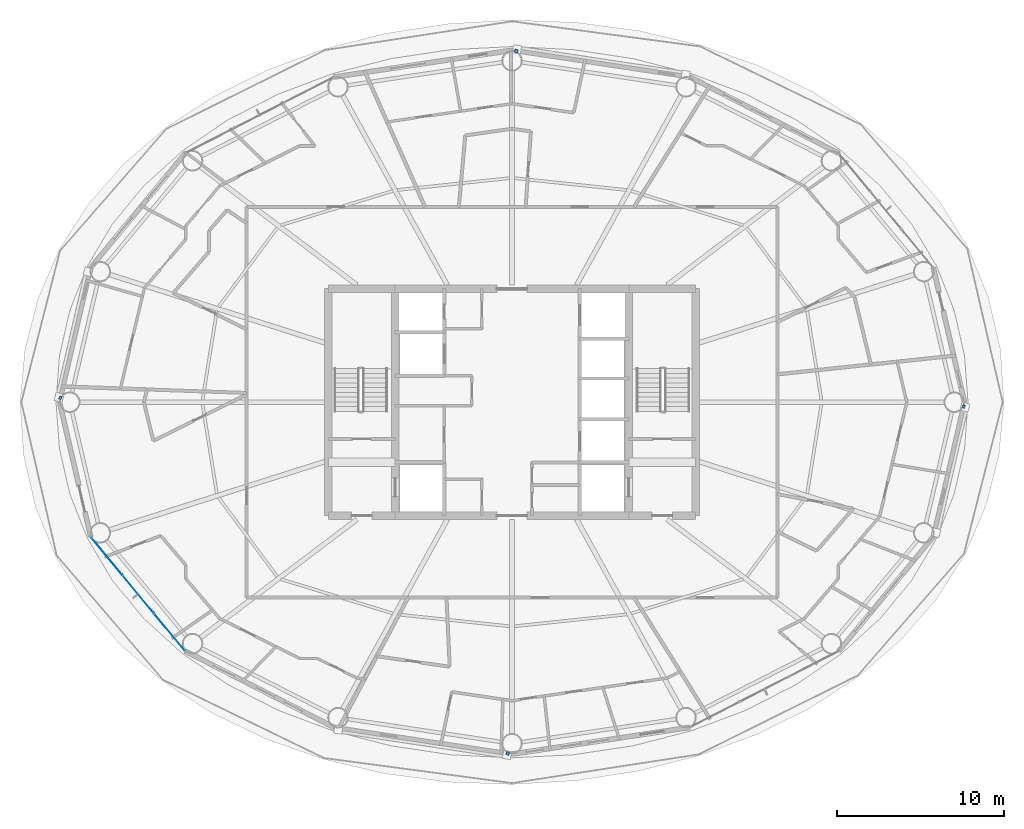
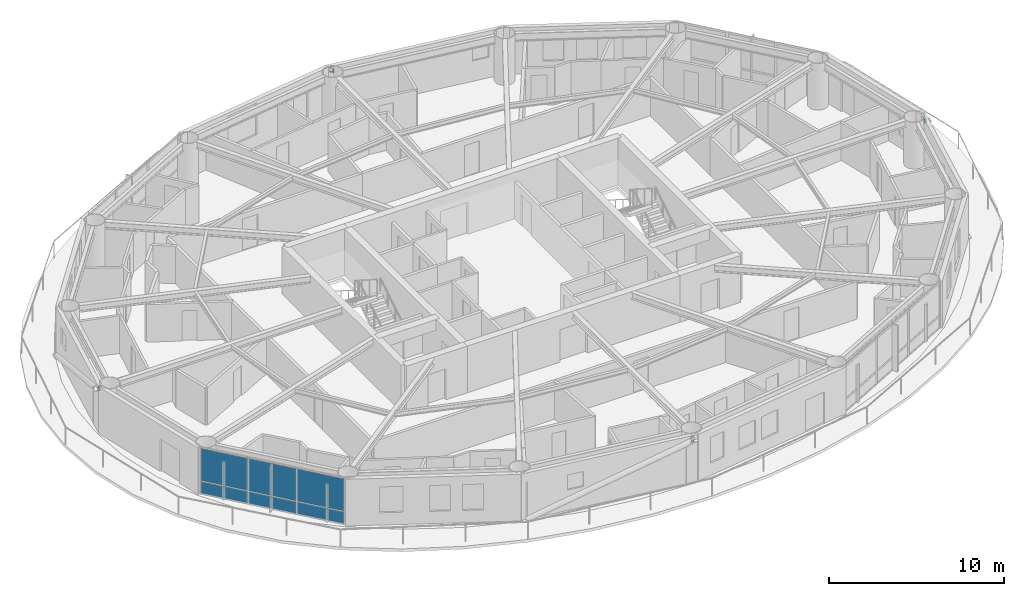
# One storey, part 16 of 28: 6 plates, 4 members, 1 element without a shape of its own.
"""IFC4 building model written with IfcOpenShell, lengths in metres."""

import ifcopenshell
import ifcopenshell.guid

model = None  # the IFC model being written
_history = None  # IfcOwnerHistory: only IFC2X3 demands one
_inside = {}  # id of a spatial element -> (the spatial element, [elements in it])
_under = {}  # id of a project, library or spatial element -> (it, [spatial elements below it])
_declared = {}  # id of a project -> (the project, [libraries it declares])
_typed = {}  # id of a type object -> (the type object, [elements of that type])
_made_of = {}  # id of a material, layer set ... -> (it, [elements and type objects made of it])


def new_model(schema):
    """Start an empty IFC model of exactly this schema.

    Asked for "IFC4X3", IfcOpenShell would pick the latest addendum, in which some entities
    have other attributes; the version numbers below select the first issue.
    IFC2X3 requires an IfcOwnerHistory on every rooted entity: one is made here for all.
    """
    global model, _history
    if schema == "IFC4X3":
        model = ifcopenshell.file(schema_version=(4, 3, 0, 0))
    else:
        model = ifcopenshell.file(schema=schema)
    _inside.clear()
    _under.clear()
    _declared.clear()
    _typed.clear()
    _made_of.clear()
    _history = None
    if model.schema == "IFC2X3":
        org = make("IfcOrganization", Name="unknown")
        user = make(
            "IfcPersonAndOrganization",
            ThePerson=make("IfcPerson", FamilyName="unknown"),
            TheOrganization=org,
        )
        app = make(
            "IfcApplication",
            ApplicationDeveloper=org,
            Version="unknown",
            ApplicationFullName="unknown",
            ApplicationIdentifier="unknown",
        )
        _history = make(
            "IfcOwnerHistory",
            OwningUser=user,
            OwningApplication=app,
            ChangeAction="ADDED",
            CreationDate=0,
        )
    return model


def make(cls, **values):
    """One entity of the class cls with the attributes given. An attribute that is None is left unset."""
    return model.create_entity(
        cls, **{name: value for name, value in values.items() if value is not None}
    )


def rooted(cls, **values):
    """An entity with a GlobalId (a new one), such as an element, a storey or a relation."""
    return make(cls, GlobalId=ifcopenshell.guid.new(), OwnerHistory=_history, **values)


def si_unit(unit_type, name, prefix=None):
    """IfcSIUnit, for example si_unit("LENGTHUNIT", "METRE", prefix="MILLI")."""
    return make("IfcSIUnit", UnitType=unit_type, Prefix=prefix, Name=name)


def assignment(units):
    """IfcUnitAssignment: the units of a project."""
    return None if units is None else make("IfcUnitAssignment", Units=units)


def point(xyz):
    """IfcCartesianPoint."""
    return None if xyz is None else make("IfcCartesianPoint", Coordinates=xyz)


def direction(xyz):
    """IfcDirection."""
    return None if xyz is None else make("IfcDirection", DirectionRatios=xyz)


def frame(location, z_axis=None, x_axis=None):
    """IfcAxis2Placement3D, a coordinate frame: its origin and axes. An axis left out is left unset."""
    return make(
        "IfcAxis2Placement3D",
        Location=point(location),
        Axis=direction(z_axis),
        RefDirection=direction(x_axis),
    )


def frame_2d(location, x_axis=None):
    """IfcAxis2Placement2D, a coordinate frame in the plane: its origin and x axis."""
    return make(
        "IfcAxis2Placement2D", Location=point(location), RefDirection=direction(x_axis)
    )


def origin():
    """The frame at (0, 0, 0) with its axes left unset."""
    return frame((0.0, 0.0, 0.0))


def origin_2d():
    """The frame at (0, 0) in the plane with its x axis left unset."""
    return frame_2d((0.0, 0.0))


def place(relative_to, where):
    """IfcLocalPlacement: puts the frame where relative to a parent placement (None: the world)."""
    return make(
        "IfcLocalPlacement", PlacementRelTo=relative_to, RelativePlacement=where
    )


def context(
    kind, dimensions, precision=None, world=None, true_north=None, identifier=None
):
    """IfcGeometricRepresentationContext, for example the 3D "Model" context."""
    return make(
        "IfcGeometricRepresentationContext",
        ContextIdentifier=identifier,
        ContextType=kind,
        CoordinateSpaceDimension=dimensions,
        Precision=precision,
        WorldCoordinateSystem=world,
        TrueNorth=true_north,
    )


def subcontext(parent, identifier, kind, view, scale=None):
    """IfcGeometricRepresentationSubContext, for example "Body" below "Model"."""
    return make(
        "IfcGeometricRepresentationSubContext",
        ContextIdentifier=identifier,
        ContextType=kind,
        ParentContext=parent,
        TargetScale=scale,
        TargetView=view,
    )


def project(units=None, contexts=None):
    """IfcProject with its units and contexts."""
    return rooted(
        "IfcProject",
        Name="project",
        RepresentationContexts=contexts,
        UnitsInContext=assignment(units),
    )


def spatial(cls, under=None, at=None, **own):
    """A site, building, storey or space (cls), placed at a placement, below another one or the project."""
    s = rooted(cls, ObjectPlacement=at, **own)
    if under is not None:
        _under.setdefault(under.id(), (under, []))[1].append(s)
    return s


def profile(cls, at=None, kind="AREA", **sizes):
    """A parametric profile (cls). Its sizes go by their IFC names, for example OverallWidth=200.0."""
    return make(cls, ProfileType=kind, Position=at, **sizes)


def rectangle(**sizes):
    """IfcRectangleProfileDef."""
    return profile("IfcRectangleProfileDef", **sizes)


def hollow_rectangle(**sizes):
    """IfcRectangleHollowProfileDef."""
    return profile("IfcRectangleHollowProfileDef", **sizes)


def extrude(swept, where, along, depth):
    """IfcExtrudedAreaSolid: the profile swept, set in the frame where, extruded along a direction by depth."""
    return make(
        "IfcExtrudedAreaSolid",
        SweptArea=swept,
        Position=where,
        ExtrudedDirection=direction(along),
        Depth=depth,
    )


def shape(context_of_items, identifier, shape_type, items):
    """IfcShapeRepresentation: the items that make up one representation, for example the "Body"."""
    return make(
        "IfcShapeRepresentation",
        ContextOfItems=context_of_items,
        RepresentationIdentifier=identifier,
        RepresentationType=shape_type,
        Items=items,
    )


def material(Name=None, Category=None):
    """IfcMaterial."""
    return make("IfcMaterial", Name=Name, Category=Category)


def layer(
    of_material, thickness, ventilated=None, Name=None, Category=None, Priority=None
):
    """IfcMaterialLayer: one layer of a wall or slab, of a material (None: an air gap)."""
    return make(
        "IfcMaterialLayer",
        Material=of_material,
        LayerThickness=thickness,
        IsVentilated=ventilated,
        Name=Name,
        Category=Category,
        Priority=Priority,
    )


def layer_set(layers, Name=None):
    """IfcMaterialLayerSet."""
    return make("IfcMaterialLayerSet", MaterialLayers=layers, LayerSetName=Name)


def material_profile(
    of_material, cross_section, Name=None, Category=None, Priority=None
):
    """IfcMaterialProfile: a cross section and its material."""
    return make(
        "IfcMaterialProfile",
        Name=Name,
        Material=of_material,
        Profile=cross_section,
        Priority=Priority,
        Category=Category,
    )


def profile_set(profiles, Name=None, composite=None):
    """IfcMaterialProfileSet."""
    return make(
        "IfcMaterialProfileSet",
        Name=Name,
        MaterialProfiles=profiles,
        CompositeProfile=composite,
    )


def made_of(thing, what):
    """Note that an element or type object is made of a material, layer set ...; save() writes the relation."""
    if what is not None:
        _made_of.setdefault(what.id(), (what, []))[1].append(thing)
    return thing


def type_object(cls, material=None, **own):
    """A type object (cls), such as IfcWallType, which elements share."""
    return made_of(rooted(cls, **own), material)


def element(
    cls,
    number,
    at=None,
    inside=None,
    cuts=None,
    type_object=None,
    material=None,
    context=None,
    identifier="Body",
    shape_type=None,
    held_by="IfcProductDefinitionShape",
    body=None,
    shapes=None,
    **own,
):
    """One element of the class cls, such as IfcWall. Its Tag is "e" and its number.

    at: its placement. inside: the storey or other place that contains it. cuts: it is an
    opening in that element (IfcRelVoidsElement). A single representation is given by context,
    identifier, shape_type and body (its items); several are given by shapes. held_by: the class
    of the entity that holds the representations. save() writes the other relations.
    """
    e = rooted(cls, Tag="e%d" % number, ObjectPlacement=at, **own)
    if body is not None:
        shapes = [shape(context, identifier, shape_type, body)]
    if shapes is not None:
        e.Representation = make(held_by, Representations=shapes)
    if inside is not None:
        _inside.setdefault(inside.id(), (inside, []))[1].append(e)
    if cuts is not None:
        rooted(
            "IfcRelVoidsElement", RelatingBuildingElement=cuts, RelatedOpeningElement=e
        )
    if type_object is not None:
        _typed.setdefault(type_object.id(), (type_object, []))[1].append(e)
    return made_of(e, material)


def aggregate(whole, parts):
    """IfcRelAggregates: a whole, such as a stair, and the parts it consists of."""
    return rooted("IfcRelAggregates", RelatingObject=whole, RelatedObjects=parts)


def save(model, path):
    """Write the relations noted so far, then the file.

    IfcRelAggregates (storeys below a building ...), IfcRelContainedInSpatialStructure (elements
    in a storey), IfcRelDefinesByType, IfcRelAssociatesMaterial and IfcRelDeclares: one each for
    every whole, place, type object, material and project.
    """
    for whole, parts in _under.values():
        aggregate(whole, parts)
    for where, things in _inside.values():
        rooted(
            "IfcRelContainedInSpatialStructure",
            RelatedElements=things,
            RelatingStructure=where,
        )
    for kind, things in _typed.values():
        rooted("IfcRelDefinesByType", RelatedObjects=things, RelatingType=kind)
    for what, things in _made_of.values():
        rooted("IfcRelAssociatesMaterial", RelatedObjects=things, RelatingMaterial=what)
    for by, libraries in _declared.values():
        rooted("IfcRelDeclares", RelatingContext=by, RelatedDefinitions=libraries)
    model.write(path)


model = new_model("IFC4")

# Units and contexts
model_context = context("Model", 3, precision=1e-05, world=origin(), true_north=direction((0.0, 1.0)))
body_context = subcontext(model_context, "Body", "Model", "MODEL_VIEW")
ifc_project = project(units=[si_unit("LENGTHUNIT", "METRE"), si_unit("AREAUNIT", "SQUARE_METRE"), si_unit("VOLUMEUNIT", "CUBIC_METRE"), si_unit("PLANEANGLEUNIT", "RADIAN"), si_unit("MASSUNIT", "GRAM", prefix="KILO")], contexts=[model_context])

# Site, building, storey
site_placement = place(None, origin())
site = spatial("IfcSite", under=ifc_project, at=site_placement, CompositionType="ELEMENT")
building_placement = place(site_placement, origin())
building = spatial("IfcBuilding", under=site, at=building_placement, Name="Sarneth Arch Tower", CompositionType="ELEMENT")
storey_placement = place(building_placement, frame((0.0, 0.0, 197.39990234375)))
storey = spatial("IfcBuildingStorey", under=building, at=storey_placement, Name="L50", CompositionType="ELEMENT", Elevation=197.39990234375)

# Members
ifc_material_1 = material(Name="Steel S355", Category="steel")
ifc_material_profile = material_profile(ifc_material_1, hollow_rectangle(XDim=0.199951171875, YDim=0.300048828125, WallThickness=0.012451171875, InnerFilletRadius=0.018798828125, OuterFilletRadius=0.03125, at=origin_2d()), Name="RHS300x200x12.5")
ifc_profile_set = profile_set([ifc_material_profile], Name="Steel S355")
member_type = type_object("IfcMemberType", Name="MEM-CANT-STRUT", PredefinedType="STRUT", material=ifc_profile_set)
member_1_placement = place(storey_placement, frame((48.214599609375, 62.945556640625, 2.920654296875), z_axis=(0.396911150685, 0.91785703596, 0.0), x_axis=(-0.91785703596, 0.396911150685, 0.0)))
element("IfcMember", 1, at=member_1_placement, inside=storey, type_object=member_type, Name="L50 Exoskeleton brace node strut 04B", PredefinedType="STRUT", context=body_context, shape_type="SweptSolid", body=[
    extrude(hollow_rectangle(XDim=0.199951171875, YDim=0.300048828125, WallThickness=0.012451171875, InnerFilletRadius=0.018798828125, OuterFilletRadius=0.03125, at=origin_2d()), origin(), (0.0, 0.0, 1.0), 0.206787109375),
])
member_2_placement = place(storey_placement, frame((21.021484375, 42.223876953125, 2.920654296875), z_axis=(-0.910366477463, 0.413802944301, 0.0), x_axis=(-0.413802944301, -0.910366477463, 0.0)))
element("IfcMember", 2, at=member_2_placement, inside=storey, type_object=member_type, Name="L50 Exoskeleton brace node strut 08B", PredefinedType="STRUT", context=body_context, shape_type="SweptSolid", body=[
    extrude(hollow_rectangle(XDim=0.199951171875, YDim=0.300048828125, WallThickness=0.012451171875, InnerFilletRadius=0.018798828125, OuterFilletRadius=0.03125, at=origin_2d()), origin(), (0.0, 0.0, 1.0), 0.165283203125),
])
member_3_placement = place(storey_placement, frame((47.785400390625, 21.054443359375, 2.920654296875), z_axis=(-0.396911150685, -0.91785703596, 0.0), x_axis=(0.91785703596, -0.396911150685, 0.0)))
element("IfcMember", 3, at=member_3_placement, inside=storey, type_object=member_type, Name="L50 Exoskeleton brace node strut 12B", PredefinedType="STRUT", context=body_context, shape_type="SweptSolid", body=[
    extrude(hollow_rectangle(XDim=0.199951171875, YDim=0.300048828125, WallThickness=0.012451171875, InnerFilletRadius=0.018798828125, OuterFilletRadius=0.03125, at=origin_2d()), origin(), (0.0, 0.0, 1.0), 0.206787109375),
])
member_4_placement = place(storey_placement, frame((74.978515625, 41.776123046875, 2.920654296875), z_axis=(0.910366477463, -0.413802944301, 0.0), x_axis=(0.413802944301, 0.910366477463, 0.0)))
element("IfcMember", 4, at=member_4_placement, inside=storey, type_object=member_type, Name="L50 Exoskeleton brace node strut 16B", PredefinedType="STRUT", context=body_context, shape_type="SweptSolid", body=[
    extrude(hollow_rectangle(XDim=0.199951171875, YDim=0.300048828125, WallThickness=0.012451171875, InnerFilletRadius=0.018798828125, OuterFilletRadius=0.03125, at=origin_2d()), origin(), (0.0, 0.0, 1.0), 0.165283203125),
])

# Curtain wall, plates
ifc_material_2 = material(Name="Anodised aluminium Type AA25 and solar-control low-e laminated IGU", Category="aluminium")
ifc_layer_1 = layer(ifc_material_2, 0.169921875)
ifc_layer_set_1 = layer_set([ifc_layer_1], Name="Anodised aluminium Type AA25 and solar-control low-e laminated IGU")
curtain_wall_type = type_object("IfcCurtainWallType", Name="CW-RES-MID", PredefinedType="NOTDEFINED", material=ifc_layer_set_1)
curtain_wall_placement = place(storey_placement, origin())
curtain_wall = element("IfcCurtainWall", 5, at=curtain_wall_placement, inside=storey, type_object=curtain_wall_type, Name="L50 Unitised curtain wall facet 10", PredefinedType="NOTDEFINED")
ifc_material_3 = material(Name="Solar-control low-e laminated IGU", Category="glass")
ifc_layer_2 = layer(ifc_material_3, 0.028076171875)
ifc_layer_set_2 = layer_set([ifc_layer_2], Name="Solar-control low-e laminated IGU")
plate_type = type_object("IfcPlateType", Name="CW-PANEL", PredefinedType="CURTAIN_PANEL", material=ifc_layer_set_2)
plate_1_placement = place(storey_placement, frame((23.719970703125, 32.78173828125, 0.06005859375), z_axis=(0.0, 0.0, 1.0), x_axis=(0.637330298558, -0.770590741276, 0.0)))
plate_1 = element("IfcPlate", 6, at=plate_1_placement, type_object=plate_type, Name="Curtain wall glazed vision pane CW-L50-F10/P00-00", PredefinedType="CURTAIN_PANEL", context=body_context, shape_type="SweptSolid", body=[
    extrude(rectangle(XDim=2.8681640625, YDim=0.028076171875, at=origin_2d()), origin(), (0.0, 0.0, 1.0), 0.81005859375),
])
plate_2_placement = place(storey_placement, frame((23.719970703125, 32.78173828125, 0.93017578125), z_axis=(0.0, 0.0, 1.0), x_axis=(0.637330298558, -0.770590741276, 0.0)))
plate_2 = element("IfcPlate", 7, at=plate_2_placement, type_object=plate_type, Name="Curtain wall glazed vision pane CW-L50-F10/P00-01", PredefinedType="CURTAIN_PANEL", context=body_context, shape_type="SweptSolid", body=[
    extrude(rectangle(XDim=2.8681640625, YDim=0.028076171875, at=origin_2d()), origin(), (0.0, 0.0, 1.0), 2.260009765625),
])
plate_3_placement = place(storey_placement, frame((25.595703125, 30.513671875, 0.06005859375), z_axis=(0.0, 0.0, 1.0), x_axis=(0.637330298558, -0.770590741276, 0.0)))
plate_3 = element("IfcPlate", 8, at=plate_3_placement, type_object=plate_type, Name="Curtain wall glazed vision pane CW-L50-F10/P01-00", PredefinedType="CURTAIN_PANEL", context=body_context, shape_type="SweptSolid", body=[
    extrude(rectangle(XDim=2.898193359375, YDim=0.028076171875, at=origin_2d()), origin(), (0.0, 0.0, 1.0), 0.81005859375),
])
plate_4_placement = place(storey_placement, frame((25.595703125, 30.513671875, 0.93017578125), z_axis=(0.0, 0.0, 1.0), x_axis=(0.637330298558, -0.770590741276, 0.0)))
plate_4 = element("IfcPlate", 9, at=plate_4_placement, type_object=plate_type, Name="Curtain wall glazed vision pane CW-L50-F10/P01-01", PredefinedType="CURTAIN_PANEL", context=body_context, shape_type="SweptSolid", body=[
    extrude(rectangle(XDim=2.898193359375, YDim=0.028076171875, at=origin_2d()), origin(), (0.0, 0.0, 1.0), 2.260009765625),
])
plate_5_placement = place(storey_placement, frame((27.4716796875, 28.24560546875, 0.06005859375), z_axis=(0.0, 0.0, 1.0), x_axis=(0.637330298558, -0.770590741276, 0.0)))
plate_5 = element("IfcPlate", 10, at=plate_5_placement, type_object=plate_type, Name="Curtain wall glazed vision pane CW-L50-F10/P02-00", PredefinedType="CURTAIN_PANEL", context=body_context, shape_type="SweptSolid", body=[
    extrude(rectangle(XDim=2.8681640625, YDim=0.028076171875, at=origin_2d()), origin(), (0.0, 0.0, 1.0), 0.81005859375),
])
plate_6_placement = place(storey_placement, frame((27.4716796875, 28.24560546875, 0.93017578125), z_axis=(0.0, 0.0, 1.0), x_axis=(0.637330298558, -0.770590741276, 0.0)))
plate_6 = element("IfcPlate", 11, at=plate_6_placement, type_object=plate_type, Name="Curtain wall glazed vision pane CW-L50-F10/P02-01", PredefinedType="CURTAIN_PANEL", context=body_context, shape_type="SweptSolid", body=[
    extrude(rectangle(XDim=2.8681640625, YDim=0.028076171875, at=origin_2d()), origin(), (0.0, 0.0, 1.0), 2.260009765625),
])
aggregate(curtain_wall, [plate_1, plate_2, plate_3, plate_4, plate_5, plate_6])

save(model, "model.ifc")
